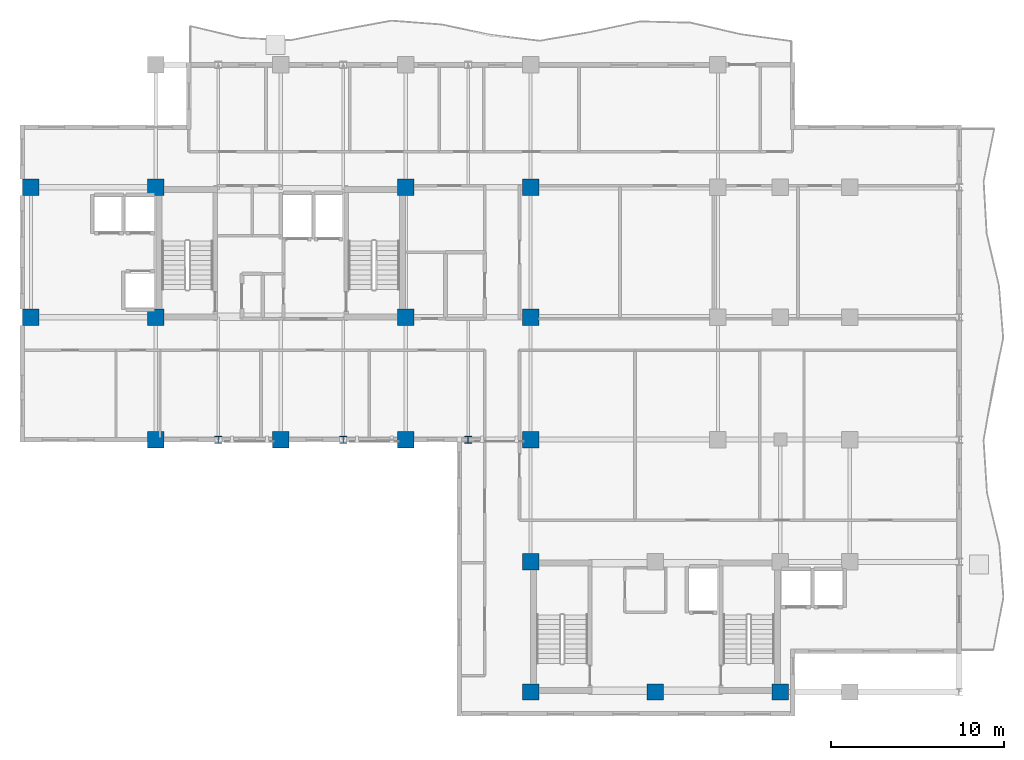
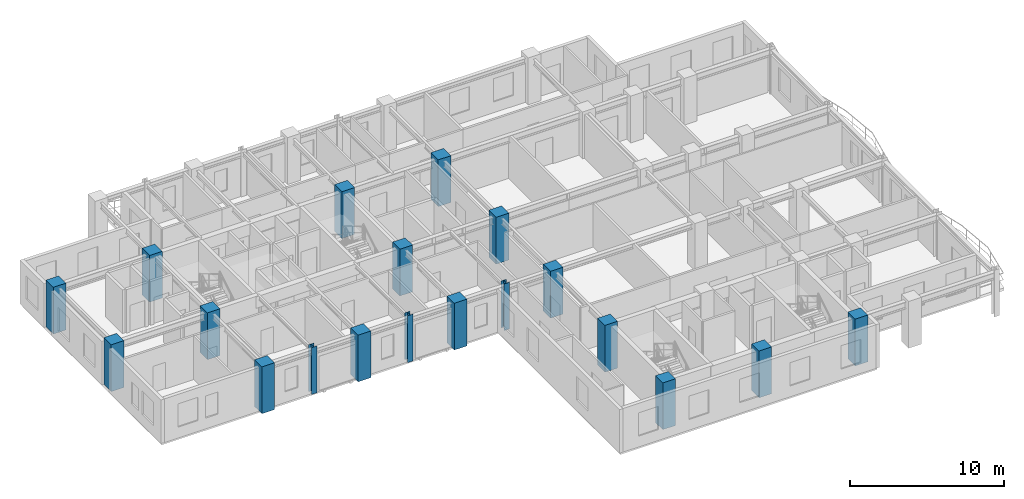
# One storey, part 1 of 14: 19 columns.
"""IFC4 building model written with IfcOpenShell, lengths in metres."""

from ifc_helpers import new_model, si_unit, direction, frame, origin, origin_2d, place, context, subcontext, project, spatial, rectangle, i_section, extrude, source, transform, mapped, material, material_profile, profile_set, type_object, element, save


model = new_model("IFC4")

# Units and contexts
model_context = context("Model", 3, precision=1e-05, world=origin(), true_north=direction((0.0, 1.0)))
body_context = subcontext(model_context, "Body", "Model", "MODEL_VIEW")
ifc_project = project(units=[si_unit("LENGTHUNIT", "METRE"), si_unit("AREAUNIT", "SQUARE_METRE"), si_unit("VOLUMEUNIT", "CUBIC_METRE"), si_unit("PLANEANGLEUNIT", "RADIAN"), si_unit("MASSUNIT", "GRAM", prefix="KILO")], contexts=[model_context])

# Site, building, storey
site_placement = place(None, origin())
site = spatial("IfcSite", under=ifc_project, at=site_placement, CompositionType="ELEMENT")
building_placement = place(site_placement, origin())
building = spatial("IfcBuilding", under=site, at=building_placement, Name="Kaliganga Portal Commons", CompositionType="ELEMENT")
storey_placement = place(building_placement, frame((0.0, 0.0, 227.699951171875)))
storey = spatial("IfcBuildingStorey", under=building, at=storey_placement, Name="L58", CompositionType="ELEMENT", Elevation=227.699951171875)

# Columns
ifc_material_1 = material(Name="Concrete C50/60", Category="concrete")
ifc_material_profile_1 = material_profile(ifc_material_1, rectangle(XDim=0.949951171875, YDim=0.949951171875, at=origin_2d()), Name="RC 950x950")
ifc_profile_set_1 = profile_set([ifc_material_profile_1], Name="Concrete C50/60")
column_type_1 = type_object("IfcColumnType", Name="COL-MEGA-Z4", PredefinedType="COLUMN", material=ifc_profile_set_1)
shared_shape_1 = source(origin(), body_context, "Body", "SweptSolid", [
    extrude(rectangle(XDim=0.949951171875, YDim=0.949951171875, at=origin_2d()), origin(), (0.0, 0.0, 1.0), 3.699951171875),
])
for number, where, z_axis, x_axis, name in (
    (1, (7.199951171875, 28.64990234375, 0.0), (0.0, 0.0, 1.0), (1.0, 0.0, 0.0), "Column MC-05 L58"),
    (2, (7.199951171875, 36.14990234375, 0.0), (0.0, 0.0, 1.0), (1.0, 0.0, 0.0), "Column MC-05 L58"),
    (3, (14.39990234375, 21.60009765625, 0.0), (0.0, 0.0, 1.0), (1.0, 0.0, 0.0), "Column MC-05 L58"),
    (4, (14.39990234375, 28.64990234375, 0.0), (0.0, 0.0, 1.0), (1.0, 0.0, 0.0), "Column MC-05 L58"),
    (5, (14.39990234375, 36.14990234375, 0.0), (0.0, 0.0, 1.0), (1.0, 0.0, 0.0), "Column MC-05 L58"),
    (6, (21.60009765625, 21.60009765625, 0.0), (0.0, 0.0, 1.0), (1.0, 0.0, 0.0), "Column MC-05 L58"),
    (7, (28.800048828125, 21.60009765625, 0.0), (0.0, 0.0, 1.0), (1.0, 0.0, 0.0), "Column MC-05 L58"),
    (8, (28.800048828125, 28.64990234375, 0.0), (0.0, 0.0, 1.0), (1.0, 0.0, 0.0), "Column MC-05 L58"),
    (9, (28.800048828125, 36.14990234375, 0.0), (0.0, 0.0, 1.0), (1.0, 0.0, 0.0), "Column MC-05 L58"),
    (10, (36.0, 21.60009765625, 0.0), (0.0, 0.0, 1.0), (1.0, 0.0, 0.0), "Column MC-05 L58"),
    (11, (36.0, 28.64990234375, 0.0), (0.0, 0.0, 1.0), (1.0, 0.0, 0.0), "Column MC-05 L58"),
    (12, (36.0, 36.14990234375, 0.0), (0.0, 0.0, 1.0), (1.0, 0.0, 0.0), "Column MC-05 L58"),
    (13, (36.0, 7.050048828125, 0.0), (0.0, 0.0, 1.0), (1.0, 0.0, 0.0), "Column MC-05 L58"),
    (14, (36.0, 14.550048828125, 0.0), (0.0, 0.0, 1.0), (1.0, 0.0, 0.0), "Column MC-05 L58"),
    (15, (43.199951171875, 7.050048828125, 0.0), (0.0, 0.0, 1.0), (1.0, 0.0, 0.0), "Column MC-05 L58"),
    (16, (50.39990234375, 7.050048828125, 0.0), (0.0, 0.0, 1.0), (1.0, 0.0, 0.0), "Column MC-05 L58"),
):
    element("IfcColumn", number, at=place(storey_placement, frame(where, z_axis=z_axis, x_axis=x_axis)), inside=storey, type_object=column_type_1, Name=name, PredefinedType="COLUMN", context=body_context, shape_type="MappedRepresentation", body=[
        mapped(shared_shape_1, transform((0.0, 0.0, 0.0), x_axis=(1.0, 0.0, 0.0), y_axis=(0.0, 1.0, 0.0), z_axis=(0.0, 0.0, 1.0), scale=1.0)),
    ])
ifc_material_2 = material(Name="Structural steel S355J2", Category="steel")
ifc_material_profile_2 = material_profile(ifc_material_2, i_section(OverallWidth=0.39892578125, OverallDepth=0.39990234375, WebThickness=0.017333984375, FlangeThickness=0.0234375, FilletRadius=0.014892578125, at=origin_2d()), Name="HD 400x287")
ifc_profile_set_2 = profile_set([ifc_material_profile_2], Name="Structural steel S355J2 wide-flange")
column_type_2 = type_object("IfcColumnType", Name="COL-TUBE-B4", PredefinedType="COLUMN", material=ifc_profile_set_2)
shared_shape_2 = source(origin(), body_context, "Body", "SweptSolid", [
    extrude(i_section(OverallWidth=0.39892578125, OverallDepth=0.39990234375, WebThickness=0.017333984375, FlangeThickness=0.0234375, FilletRadius=0.014892578125, at=origin_2d()), origin(), (0.0, 0.0, 1.0), 3.699951171875),
])
for number, where, z_axis, x_axis, name in (
    (17, (18.0, 21.60009765625, 0.0), (0.0, 0.0, 1.0), (1.0, 0.0, 0.0), "Column TC-04 L58"),
    (18, (25.199951171875, 21.60009765625, 0.0), (0.0, 0.0, 1.0), (1.0, 0.0, 0.0), "Column TC-04 L58"),
    (19, (32.39990234375, 21.60009765625, 0.0), (0.0, 0.0, 1.0), (1.0, 0.0, 0.0), "Column TC-04 L58"),
):
    element("IfcColumn", number, at=place(storey_placement, frame(where, z_axis=z_axis, x_axis=x_axis)), inside=storey, type_object=column_type_2, Name=name, PredefinedType="COLUMN", context=body_context, shape_type="MappedRepresentation", body=[
        mapped(shared_shape_2, transform((0.0, 0.0, 0.0), x_axis=(1.0, 0.0, 0.0), y_axis=(0.0, 1.0, 0.0), z_axis=(0.0, 0.0, 1.0), scale=1.0)),
    ])

save(model, "model.ifc")
